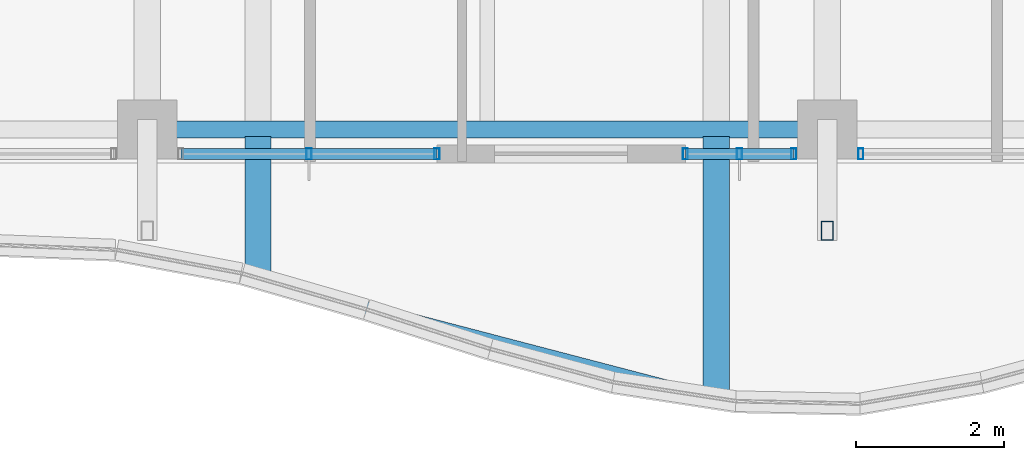
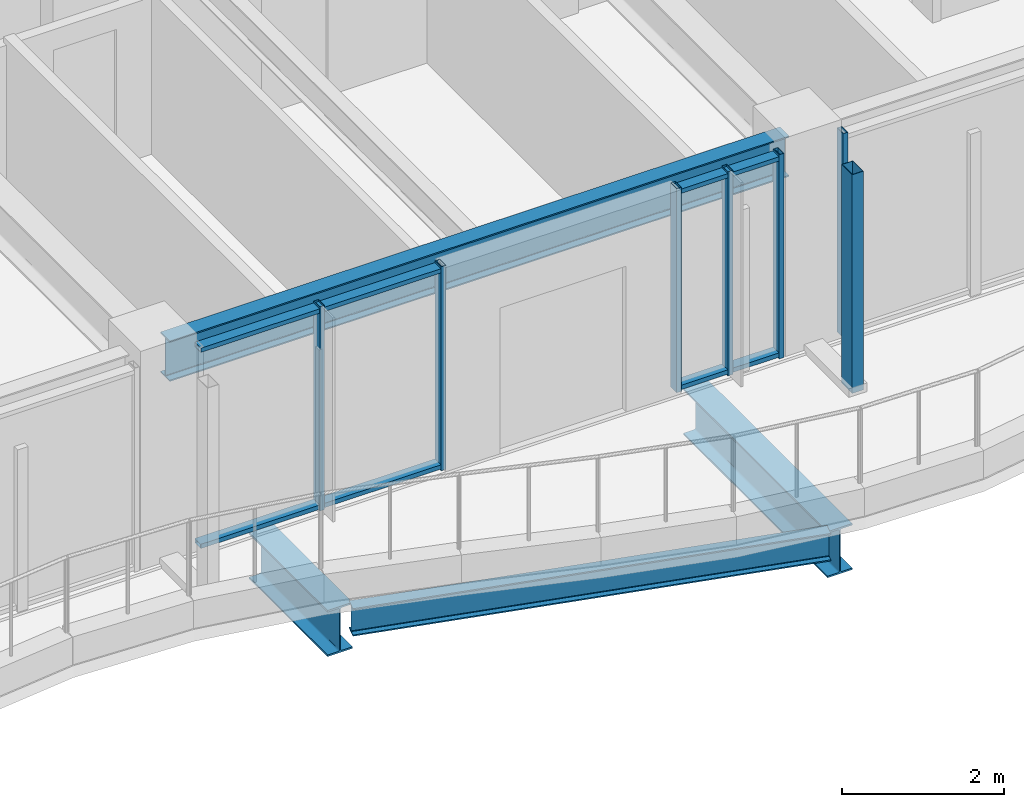
# One storey, part 5 of 38: 11 members, 4 beams, 3 elements without a shape of their own.
"""IFC4 building model written with IfcOpenShell, lengths in metres."""

from ifc_helpers import new_model, si_unit, direction, frame, origin, origin_2d, place, context, subcontext, project, spatial, hollow_rectangle, i_section, extrude, material, material_profile, profile_set, type_object, element, aggregate, save


model = new_model("IFC4")

# Units and contexts
model_context = context("Model", 3, precision=1e-05, world=origin(), true_north=direction((0.0, 1.0)))
body_context = subcontext(model_context, "Body", "Model", "MODEL_VIEW")
ifc_project = project(units=[si_unit("LENGTHUNIT", "METRE"), si_unit("AREAUNIT", "SQUARE_METRE"), si_unit("VOLUMEUNIT", "CUBIC_METRE"), si_unit("PLANEANGLEUNIT", "RADIAN"), si_unit("MASSUNIT", "GRAM", prefix="KILO")], contexts=[model_context])

# Site, building, storey
site_placement = place(None, origin())
site = spatial("IfcSite", under=ifc_project, at=site_placement, CompositionType="ELEMENT")
building_placement = place(site_placement, origin())
building = spatial("IfcBuilding", under=site, at=building_placement, Name="Kolvaren Belvedere", CompositionType="ELEMENT")
storey_placement = place(building_placement, frame((0.0, 0.0, 213.0)))
storey = spatial("IfcBuildingStorey", under=building, at=storey_placement, Name="L62", CompositionType="ELEMENT", Elevation=213.0)

# Beams
ifc_material_1 = material(Name="Structural steel ASTM A992 Grade 50", Category="steel")
ifc_material_profile_1 = material_profile(ifc_material_1, i_section(OverallWidth=0.35498046875, OverallDepth=0.696044921875, WebThickness=0.015380859375, FlangeThickness=0.02490234375, FilletRadius=0.02197265625, at=origin_2d()), Name="W27X146")
ifc_profile_set_1 = profile_set([ifc_material_profile_1], Name="Structural steel ASTM A992 Grade 50")
beam_type_1 = type_object("IfcBeamType", Name="BM-CANT-BAL", PredefinedType="BEAM", material=ifc_profile_set_1)
beam_1_placement = place(storey_placement, frame((-3.10009765625, -20.044921875, -0.568115234375), z_axis=(0.0, -1.0, 0.0), x_axis=(1.0, 0.0, 0.0)))
element("IfcBeam", 1, at=beam_1_placement, inside=storey, type_object=beam_type_1, Name="L62 Planted Balcony Cantilever BAL-S-1", PredefinedType="BEAM", context=body_context, shape_type="SweptSolid", body=[
    extrude(i_section(OverallWidth=0.35498046875, OverallDepth=0.696044921875, WebThickness=0.015380859375, FlangeThickness=0.02490234375, FilletRadius=0.02197265625, at=origin_2d()), origin(), (0.0, 0.0, 1.0), 1.94189453125),
])
beam_2_placement = place(storey_placement, frame((3.10009765625, -20.044921875, -0.568115234375), z_axis=(0.0, -1.0, 0.0), x_axis=(1.0, 0.0, 0.0)))
element("IfcBeam", 2, at=beam_2_placement, inside=storey, type_object=beam_type_1, Name="L62 Planted Balcony Cantilever BAL-S-2", PredefinedType="BEAM", context=body_context, shape_type="SweptSolid", body=[
    extrude(i_section(OverallWidth=0.35498046875, OverallDepth=0.696044921875, WebThickness=0.015380859375, FlangeThickness=0.02490234375, FilletRadius=0.02197265625, at=origin_2d()), origin(), (0.0, 0.0, 1.0), 3.56103515625),
])
ifc_material_2 = material(Name="Structural steel ASTM A992 Grade 50", Category="steel")
ifc_material_profile_2 = material_profile(ifc_material_2, i_section(OverallWidth=0.180908203125, OverallDepth=0.4169921875, WebThickness=0.010986328125, FlangeThickness=0.018310546875, FilletRadius=0.013916015625, at=origin_2d()), Name="W16X57")
ifc_profile_set_2 = profile_set([ifc_material_profile_2], Name="Structural steel ASTM A992 Grade 50")
beam_type_2 = type_object("IfcBeamType", Name="BM-EDGE-W16X57", PredefinedType="BEAM", material=ifc_profile_set_2)
beam_3_placement = place(storey_placement, frame((-2.964599609375, -22.022216796875, -0.428466796875), z_axis=(0.9675537799, -0.25266515985, 0.0), x_axis=(0.25266515985, 0.9675537799, 0.0)))
element("IfcBeam", 3, at=beam_3_placement, inside=storey, type_object=beam_type_2, Name="L62 Balcony Tip Header Beam BAL-S", PredefinedType="BEAM", context=body_context, shape_type="SweptSolid", body=[
    extrude(i_section(OverallWidth=0.180908203125, OverallDepth=0.4169921875, WebThickness=0.010986328125, FlangeThickness=0.018310546875, FilletRadius=0.013916015625, at=origin_2d()), origin(), (0.0, 0.0, 1.0), 6.1279296875),
])
ifc_material_3 = material(Name="Structural steel ASTM A992 Grade 50", Category="steel")
ifc_material_profile_3 = material_profile(ifc_material_3, i_section(OverallWidth=0.22900390625, OverallDepth=0.612060546875, WebThickness=0.011962890625, FlangeThickness=0.01953125, FilletRadius=0.01806640625, at=origin_2d()), Name="W24X84")
ifc_profile_set_3 = profile_set([ifc_material_profile_3], Name="Structural steel ASTM A992 Grade 50")
beam_type_3 = type_object("IfcBeamType", Name="BM-SPAN-W24X84", PredefinedType="SPANDREL", material=ifc_profile_set_3)
beam_4_placement = place(storey_placement, frame((-4.419921875, -19.949951171875, 2.77392578125), z_axis=(1.0, 0.0, 0.0), x_axis=(0.0, 1.0, 0.0)))
element("IfcBeam", 4, at=beam_4_placement, inside=storey, type_object=beam_type_3, Name="L62 Perimeter Spandrel S2-S3", PredefinedType="SPANDREL", context=body_context, shape_type="SweptSolid", body=[
    extrude(i_section(OverallWidth=0.22900390625, OverallDepth=0.612060546875, WebThickness=0.011962890625, FlangeThickness=0.01953125, FilletRadius=0.01806640625, at=origin_2d()), origin(), (0.0, 0.0, 1.0), 8.83984375),
])

# Curtain wall, member
ifc_material_4 = material(Name="Anodised pale-metal aluminium AA 6063-T6", Category="aluminium")
curtain_wall_type = type_object("IfcCurtainWallType", Name="CW-Z5-HIGH", PredefinedType="NOTDEFINED", material=ifc_material_4)
curtain_wall_1_placement = place(storey_placement, origin())
curtain_wall_1 = element("IfcCurtainWall", 5, at=curtain_wall_1_placement, inside=storey, type_object=curtain_wall_type, Name="L62 Unitised Curtain Wall FCW-L62-S1-B1", PredefinedType="NOTDEFINED")
ifc_material_5 = material(Name="Anodised pale-metal aluminium AA 6063-T6", Category="aluminium")
ifc_material_profile_4 = material_profile(ifc_material_5, hollow_rectangle(XDim=0.070068359375, YDim=0.14990234375, WallThickness=0.004150390625, at=origin_2d()), Name="ALU-MUL-150X70")
ifc_profile_set_4 = profile_set([ifc_material_profile_4], Name="Anodised pale-metal aluminium AA 6063-T6")
member_type_1 = type_object("IfcMemberType", Name="CW-MUL-150", PredefinedType="MULLION", material=ifc_profile_set_4)
member_1_placement = place(storey_placement, frame((5.054931640625, -20.280029296875, 0.0), z_axis=(0.0, 0.0, 1.0), x_axis=(1.0, 0.0, 0.0)))
member_1 = element("IfcMember", 6, at=member_1_placement, type_object=member_type_1, Name="FCW-L62-S1-B1 Unitised Mullion 3", PredefinedType="MULLION", context=body_context, shape_type="SweptSolid", body=[
    extrude(hollow_rectangle(XDim=0.070068359375, YDim=0.14990234375, WallThickness=0.004150390625, at=origin_2d()), origin(), (0.0, 0.0, 1.0), 3.080078125),
])
aggregate(curtain_wall_1, [member_1])

# Curtain wall, members
curtain_wall_2_placement = place(storey_placement, origin())
curtain_wall_2 = element("IfcCurtainWall", 7, at=curtain_wall_2_placement, inside=storey, type_object=curtain_wall_type, Name="L62 Unitised Curtain Wall FCW-L62-S1-B2", PredefinedType="NOTDEFINED")
member_2_placement = place(storey_placement, frame((4.14501953125, -20.280029296875, 0.0), z_axis=(0.0, 0.0, 1.0), x_axis=(1.0, 0.0, 0.0)))
member_2 = element("IfcMember", 8, at=member_2_placement, type_object=member_type_1, Name="FCW-L62-S1-B2 Unitised Mullion 1", PredefinedType="MULLION", context=body_context, shape_type="SweptSolid", body=[
    extrude(hollow_rectangle(XDim=0.070068359375, YDim=0.14990234375, WallThickness=0.004150390625, at=origin_2d()), origin(), (0.0, 0.0, 1.0), 3.080078125),
])
member_3_placement = place(storey_placement, frame((3.41259765625, -20.280029296875, 0.0), z_axis=(0.0, 0.0, 1.0), x_axis=(1.0, 0.0, 0.0)))
member_3 = element("IfcMember", 9, at=member_3_placement, type_object=member_type_1, Name="FCW-L62-S1-B2 Unitised Mullion 2", PredefinedType="MULLION", context=body_context, shape_type="SweptSolid", body=[
    extrude(hollow_rectangle(XDim=0.070068359375, YDim=0.14990234375, WallThickness=0.004150390625, at=origin_2d()), origin(), (0.0, 0.0, 1.0), 3.080078125),
])
member_4_placement = place(storey_placement, frame((2.679931640625, -20.280029296875, 0.0), z_axis=(0.0, 0.0, 1.0), x_axis=(1.0, 0.0, 0.0)))
member_4 = element("IfcMember", 10, at=member_4_placement, type_object=member_type_1, Name="FCW-L62-S1-B2 Unitised Mullion 3", PredefinedType="MULLION", context=body_context, shape_type="SweptSolid", body=[
    extrude(hollow_rectangle(XDim=0.070068359375, YDim=0.14990234375, WallThickness=0.004150390625, at=origin_2d()), origin(), (0.0, 0.0, 1.0), 3.080078125),
])

curtain_wall_3_placement = place(storey_placement, origin())
curtain_wall_3 = element("IfcCurtainWall", 11, at=curtain_wall_3_placement, inside=storey, type_object=curtain_wall_type, Name="L62 Unitised Curtain Wall FCW-L62-S2-B1", PredefinedType="NOTDEFINED")
member_5_placement = place(storey_placement, frame((-0.679931640625, -20.280029296875, 0.0), z_axis=(0.0, 0.0, 1.0), x_axis=(1.0, 0.0, 0.0)))
member_5 = element("IfcMember", 12, at=member_5_placement, type_object=member_type_1, Name="FCW-L62-S2-B1 Unitised Mullion 1", PredefinedType="MULLION", context=body_context, shape_type="SweptSolid", body=[
    extrude(hollow_rectangle(XDim=0.070068359375, YDim=0.14990234375, WallThickness=0.004150390625, at=origin_2d()), origin(), (0.0, 0.0, 1.0), 3.080078125),
])
member_6_placement = place(storey_placement, frame((-2.41259765625, -20.280029296875, 0.0), z_axis=(0.0, 0.0, 1.0), x_axis=(1.0, 0.0, 0.0)))
member_6 = element("IfcMember", 13, at=member_6_placement, type_object=member_type_1, Name="FCW-L62-S2-B1 Unitised Mullion 2", PredefinedType="MULLION", context=body_context, shape_type="SweptSolid", body=[
    extrude(hollow_rectangle(XDim=0.070068359375, YDim=0.14990234375, WallThickness=0.004150390625, at=origin_2d()), origin(), (0.0, 0.0, 1.0), 3.080078125),
])

# Member
ifc_material_6 = material(Name="Anodised pale-metal aluminium AA 6063-T6", Category="aluminium")
ifc_material_profile_5 = material_profile(ifc_material_6, hollow_rectangle(XDim=0.06494140625, YDim=0.14990234375, WallThickness=0.00390625, at=origin_2d()), Name="ALU-TRN-150X65")
ifc_profile_set_5 = profile_set([ifc_material_profile_5], Name="Anodised pale-metal aluminium AA 6063-T6")
member_type_2 = type_object("IfcMemberType", Name="CW-TRN-150", PredefinedType="USERDEFINED", material=ifc_profile_set_5)
member_7_placement = place(storey_placement, frame((4.14501953125, -20.280029296875, 0.06005859375), z_axis=(-1.0, 0.0, 0.0), x_axis=(0.0, 0.0, 1.0)))
member_7 = element("IfcMember", 14, at=member_7_placement, type_object=member_type_2, Name="FCW-L62-S1-B2 Sill Transom", ObjectType="TRANSOM", PredefinedType="USERDEFINED", context=body_context, shape_type="SweptSolid", body=[
    extrude(hollow_rectangle(XDim=0.06494140625, YDim=0.14990234375, WallThickness=0.00390625, at=origin_2d()), origin(), (0.0, 0.0, 1.0), 1.465087890625),
])

member_8_placement = place(storey_placement, frame((4.14501953125, -20.280029296875, 3.02001953125), z_axis=(-1.0, 0.0, 0.0), x_axis=(0.0, 0.0, 1.0)))
member_8 = element("IfcMember", 15, at=member_8_placement, type_object=member_type_2, Name="FCW-L62-S1-B2 Head Transom", ObjectType="TRANSOM", PredefinedType="USERDEFINED", context=body_context, shape_type="SweptSolid", body=[
    extrude(hollow_rectangle(XDim=0.06494140625, YDim=0.14990234375, WallThickness=0.00390625, at=origin_2d()), origin(), (0.0, 0.0, 1.0), 1.465087890625),
])

aggregate(curtain_wall_2, [member_2, member_3, member_4, member_7, member_8])

member_9_placement = place(storey_placement, frame((-0.679931640625, -20.280029296875, 0.06005859375), z_axis=(-1.0, 0.0, 0.0), x_axis=(0.0, 0.0, 1.0)))
member_9 = element("IfcMember", 16, at=member_9_placement, type_object=member_type_2, Name="FCW-L62-S2-B1 Sill Transom", ObjectType="TRANSOM", PredefinedType="USERDEFINED", context=body_context, shape_type="SweptSolid", body=[
    extrude(hollow_rectangle(XDim=0.06494140625, YDim=0.14990234375, WallThickness=0.00390625, at=origin_2d()), origin(), (0.0, 0.0, 1.0), 3.465087890625),
])

member_10_placement = place(storey_placement, frame((-0.679931640625, -20.280029296875, 3.02001953125), z_axis=(-1.0, 0.0, 0.0), x_axis=(0.0, 0.0, 1.0)))
member_10 = element("IfcMember", 17, at=member_10_placement, type_object=member_type_2, Name="FCW-L62-S2-B1 Head Transom", ObjectType="TRANSOM", PredefinedType="USERDEFINED", context=body_context, shape_type="SweptSolid", body=[
    extrude(hollow_rectangle(XDim=0.06494140625, YDim=0.14990234375, WallThickness=0.00390625, at=origin_2d()), origin(), (0.0, 0.0, 1.0), 3.465087890625),
])

aggregate(curtain_wall_3, [member_5, member_6, member_9, member_10])

ifc_material_7 = material(Name="Anodised pale-metal aluminium AA 6063-T6", Category="aluminium")
ifc_material_profile_6 = material_profile(ifc_material_7, hollow_rectangle(XDim=0.159912109375, YDim=0.260009765625, WallThickness=0.006591796875, at=origin_2d()), Name="ALU-PF-260X160")
ifc_profile_set_6 = profile_set([ifc_material_profile_6], Name="Anodised pale-metal aluminium AA 6063-T6")
member_type_3 = type_object("IfcMemberType", Name="PF-FRAME-260", PredefinedType="USERDEFINED", material=ifc_profile_set_6)
member_11_placement = place(storey_placement, frame((4.60009765625, -21.320068359375, 0.0), z_axis=(0.0, 0.0, 1.0), x_axis=(1.0, 0.0, 0.0)))
element("IfcMember", 18, at=member_11_placement, inside=storey, type_object=member_type_3, Name="L62 Outboard Picture-Frame Vertical S1", ObjectType="PICTURE FRAME FIN", PredefinedType="USERDEFINED", context=body_context, shape_type="SweptSolid", body=[
    extrude(hollow_rectangle(XDim=0.159912109375, YDim=0.260009765625, WallThickness=0.006591796875, at=origin_2d()), origin(), (0.0, 0.0, 1.0), 3.300048828125),
])

save(model, "model.ifc")
